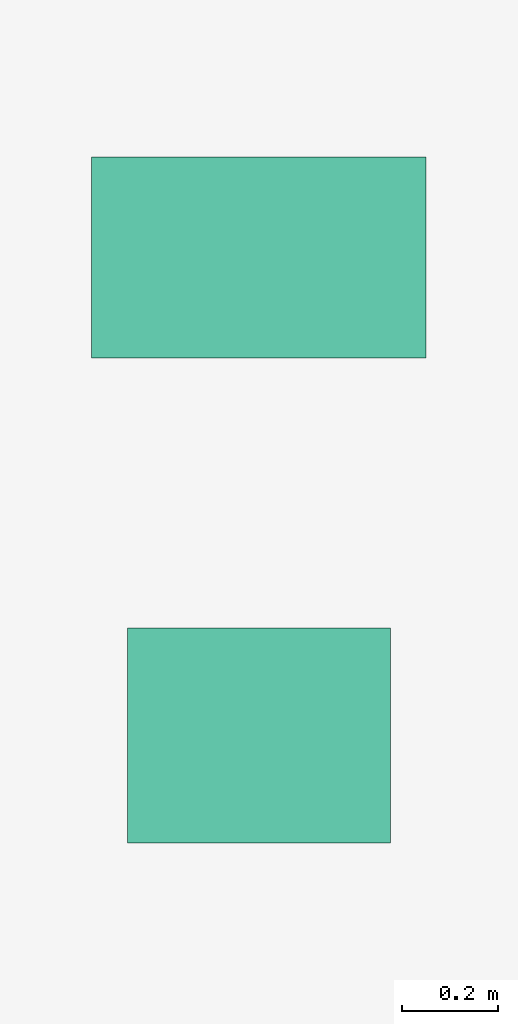
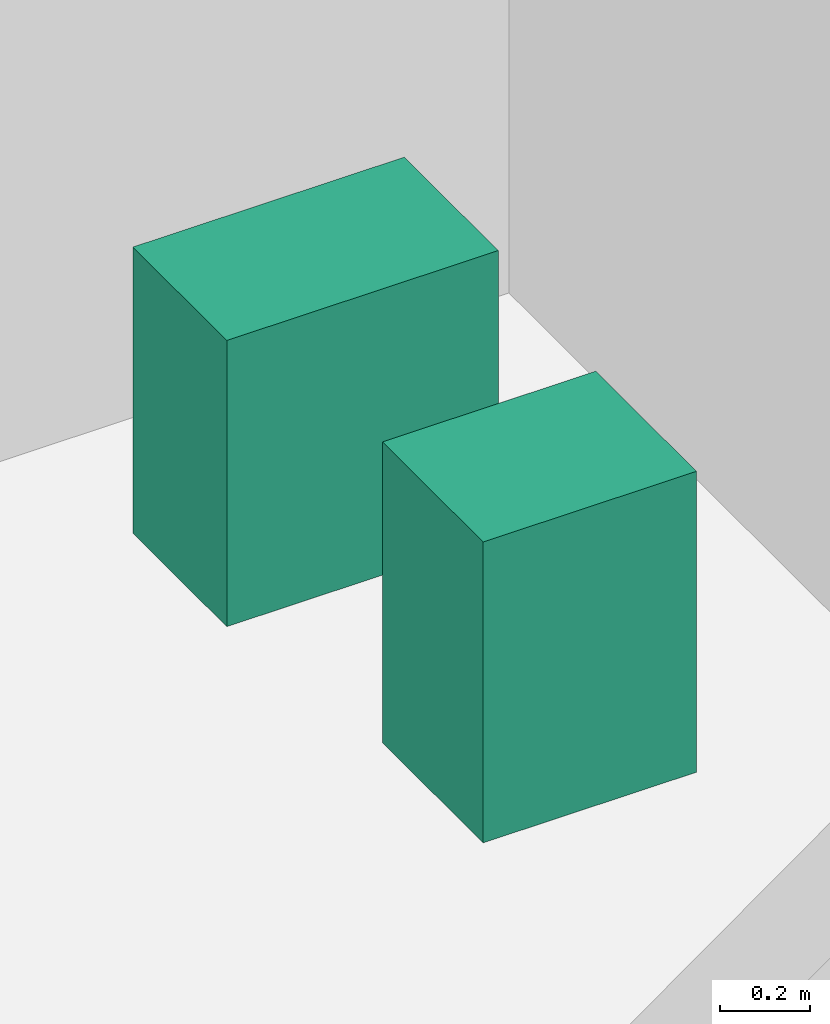
# One storey, part 29 of 29: 2 sanitary terminals.
"""IFC4 building model written with IfcOpenShell, lengths in metres."""

from ifc_helpers import new_model, si_unit, direction, frame, origin, origin_2d, place, context, subcontext, project, spatial, rectangle, extrude, source, transform, mapped, material, type_object, element, save


model = new_model("IFC4")

# Units and contexts
model_context = context("Model", 3, precision=1e-05, world=origin(), true_north=direction((0.0, 1.0)))
body_context = subcontext(model_context, "Body", "Model", "MODEL_VIEW")
ifc_project = project(units=[si_unit("LENGTHUNIT", "METRE"), si_unit("AREAUNIT", "SQUARE_METRE"), si_unit("VOLUMEUNIT", "CUBIC_METRE"), si_unit("PLANEANGLEUNIT", "RADIAN"), si_unit("MASSUNIT", "GRAM", prefix="KILO")], contexts=[model_context])

# Site, building, storey
site_placement = place(None, origin())
site = spatial("IfcSite", under=ifc_project, at=site_placement, CompositionType="ELEMENT")
building_placement = place(site_placement, origin())
building = spatial("IfcBuilding", under=site, at=building_placement, Name="Sumidabori Civic Tower", CompositionType="ELEMENT")
storey_placement = place(building_placement, frame((0.0, 0.0, 203.60009765625)))
storey = spatial("IfcBuildingStorey", under=building, at=storey_placement, Name="L52", CompositionType="ELEMENT", Elevation=203.60009765625)

# Sanitary terminals
ifc_material = material(Name="Vitreous Sanitary Porcelain")
sanitary_terminal_type_1 = type_object("IfcSanitaryTerminalType", Name="SN-WC-1", PredefinedType="TOILETPAN", material=ifc_material)
shared_shape_1 = source(origin(), body_context, "Body", "SweptSolid", [
    extrude(rectangle(XDim=0.699951171875, YDim=0.419921875, at=origin_2d()), origin(), (0.0, 0.0, 1.0), 0.780029296875),
])
sanitary_terminal_1_placement = place(storey_placement, frame((10.800048828125, 21.85009765625, 0.0), z_axis=(0.0, 0.0, 1.0), x_axis=(1.0, 0.0, 0.0)))
element("IfcSanitaryTerminal", 1, at=sanitary_terminal_1_placement, inside=storey, type_object=sanitary_terminal_type_1, Name="Accessible WC Pan L52", PredefinedType="TOILETPAN", context=body_context, shape_type="MappedRepresentation", body=[
    mapped(shared_shape_1, transform((0.0, 0.0, 0.0), x_axis=(1.0, 0.0, 0.0), y_axis=(0.0, 1.0, 0.0), z_axis=(0.0, 0.0, 1.0), scale=1.0)),
])
sanitary_terminal_type_2 = type_object("IfcSanitaryTerminalType", Name="SN-BAS-1", PredefinedType="WASHHANDBASIN", material=ifc_material)
shared_shape_2 = source(origin(), body_context, "Body", "SweptSolid", [
    extrude(rectangle(XDim=0.550048828125, YDim=0.449951171875, at=origin_2d()), origin(), (0.0, 0.0, 1.0), 0.820068359375),
])
sanitary_terminal_2_placement = place(storey_placement, frame((10.800048828125, 20.85009765625, 0.0), z_axis=(0.0, 0.0, 1.0), x_axis=(1.0, 0.0, 0.0)))
element("IfcSanitaryTerminal", 2, at=sanitary_terminal_2_placement, inside=storey, type_object=sanitary_terminal_type_2, Name="Accessible Basin L52", PredefinedType="WASHHANDBASIN", context=body_context, shape_type="MappedRepresentation", body=[
    mapped(shared_shape_2, transform((0.0, 0.0, 0.0), x_axis=(1.0, 0.0, 0.0), y_axis=(0.0, 1.0, 0.0), z_axis=(0.0, 0.0, 1.0), scale=1.0)),
])

save(model, "model.ifc")
